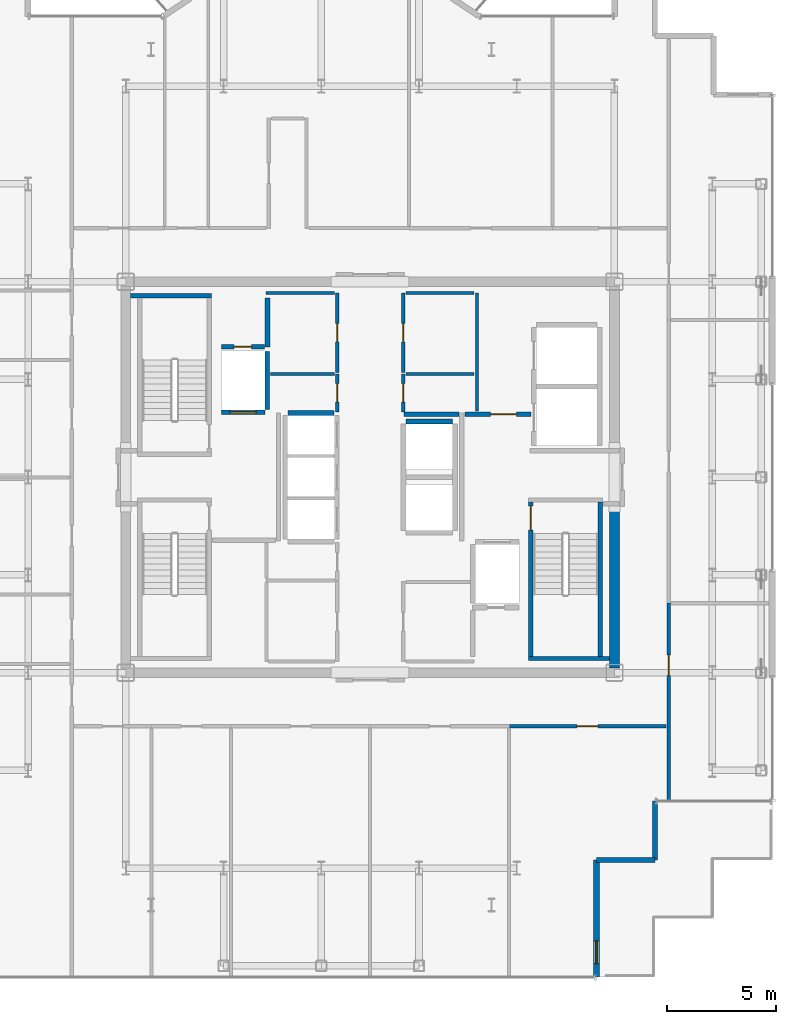
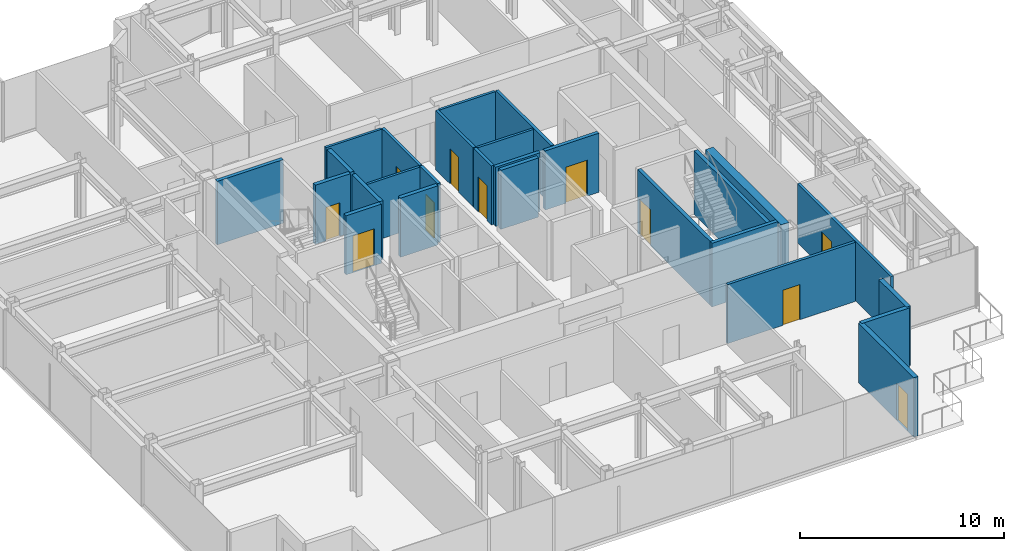
# One storey, part 13 of 18: 27 walls, 11 doors, 11 openings.
"""IFC4 building model written with IfcOpenShell, lengths in metres."""

import ifcopenshell
import ifcopenshell.guid

model = None  # the IFC model being written
_history = None  # IfcOwnerHistory: only IFC2X3 demands one
_inside = {}  # id of a spatial element -> (the spatial element, [elements in it])
_under = {}  # id of a project, library or spatial element -> (it, [spatial elements below it])
_declared = {}  # id of a project -> (the project, [libraries it declares])
_typed = {}  # id of a type object -> (the type object, [elements of that type])
_made_of = {}  # id of a material, layer set ... -> (it, [elements and type objects made of it])


def new_model(schema):
    """Start an empty IFC model of exactly this schema.

    Asked for "IFC4X3", IfcOpenShell would pick the latest addendum, in which some entities
    have other attributes; the version numbers below select the first issue.
    IFC2X3 requires an IfcOwnerHistory on every rooted entity: one is made here for all.
    """
    global model, _history
    if schema == "IFC4X3":
        model = ifcopenshell.file(schema_version=(4, 3, 0, 0))
    else:
        model = ifcopenshell.file(schema=schema)
    _inside.clear()
    _under.clear()
    _declared.clear()
    _typed.clear()
    _made_of.clear()
    _history = None
    if model.schema == "IFC2X3":
        org = make("IfcOrganization", Name="unknown")
        user = make(
            "IfcPersonAndOrganization",
            ThePerson=make("IfcPerson", FamilyName="unknown"),
            TheOrganization=org,
        )
        app = make(
            "IfcApplication",
            ApplicationDeveloper=org,
            Version="unknown",
            ApplicationFullName="unknown",
            ApplicationIdentifier="unknown",
        )
        _history = make(
            "IfcOwnerHistory",
            OwningUser=user,
            OwningApplication=app,
            ChangeAction="ADDED",
            CreationDate=0,
        )
    return model


def make(cls, **values):
    """One entity of the class cls with the attributes given. An attribute that is None is left unset."""
    return model.create_entity(
        cls, **{name: value for name, value in values.items() if value is not None}
    )


def rooted(cls, **values):
    """An entity with a GlobalId (a new one), such as an element, a storey or a relation."""
    return make(cls, GlobalId=ifcopenshell.guid.new(), OwnerHistory=_history, **values)


def si_unit(unit_type, name, prefix=None):
    """IfcSIUnit, for example si_unit("LENGTHUNIT", "METRE", prefix="MILLI")."""
    return make("IfcSIUnit", UnitType=unit_type, Prefix=prefix, Name=name)


def assignment(units):
    """IfcUnitAssignment: the units of a project."""
    return None if units is None else make("IfcUnitAssignment", Units=units)


def point(xyz):
    """IfcCartesianPoint."""
    return None if xyz is None else make("IfcCartesianPoint", Coordinates=xyz)


def direction(xyz):
    """IfcDirection."""
    return None if xyz is None else make("IfcDirection", DirectionRatios=xyz)


def frame(location, z_axis=None, x_axis=None):
    """IfcAxis2Placement3D, a coordinate frame: its origin and axes. An axis left out is left unset."""
    return make(
        "IfcAxis2Placement3D",
        Location=point(location),
        Axis=direction(z_axis),
        RefDirection=direction(x_axis),
    )


def frame_2d(location, x_axis=None):
    """IfcAxis2Placement2D, a coordinate frame in the plane: its origin and x axis."""
    return make(
        "IfcAxis2Placement2D", Location=point(location), RefDirection=direction(x_axis)
    )


def origin():
    """The frame at (0, 0, 0) with its axes left unset."""
    return frame((0.0, 0.0, 0.0))


def place(relative_to, where):
    """IfcLocalPlacement: puts the frame where relative to a parent placement (None: the world)."""
    return make(
        "IfcLocalPlacement", PlacementRelTo=relative_to, RelativePlacement=where
    )


def context(
    kind, dimensions, precision=None, world=None, true_north=None, identifier=None
):
    """IfcGeometricRepresentationContext, for example the 3D "Model" context."""
    return make(
        "IfcGeometricRepresentationContext",
        ContextIdentifier=identifier,
        ContextType=kind,
        CoordinateSpaceDimension=dimensions,
        Precision=precision,
        WorldCoordinateSystem=world,
        TrueNorth=true_north,
    )


def subcontext(parent, identifier, kind, view, scale=None):
    """IfcGeometricRepresentationSubContext, for example "Body" below "Model"."""
    return make(
        "IfcGeometricRepresentationSubContext",
        ContextIdentifier=identifier,
        ContextType=kind,
        ParentContext=parent,
        TargetScale=scale,
        TargetView=view,
    )


def project(units=None, contexts=None):
    """IfcProject with its units and contexts."""
    return rooted(
        "IfcProject",
        Name="project",
        RepresentationContexts=contexts,
        UnitsInContext=assignment(units),
    )


def spatial(cls, under=None, at=None, **own):
    """A site, building, storey or space (cls), placed at a placement, below another one or the project."""
    s = rooted(cls, ObjectPlacement=at, **own)
    if under is not None:
        _under.setdefault(under.id(), (under, []))[1].append(s)
    return s


def profile(cls, at=None, kind="AREA", **sizes):
    """A parametric profile (cls). Its sizes go by their IFC names, for example OverallWidth=200.0."""
    return make(cls, ProfileType=kind, Position=at, **sizes)


def rectangle(**sizes):
    """IfcRectangleProfileDef."""
    return profile("IfcRectangleProfileDef", **sizes)


def extrude(swept, where, along, depth):
    """IfcExtrudedAreaSolid: the profile swept, set in the frame where, extruded along a direction by depth."""
    return make(
        "IfcExtrudedAreaSolid",
        SweptArea=swept,
        Position=where,
        ExtrudedDirection=direction(along),
        Depth=depth,
    )


def shape(context_of_items, identifier, shape_type, items):
    """IfcShapeRepresentation: the items that make up one representation, for example the "Body"."""
    return make(
        "IfcShapeRepresentation",
        ContextOfItems=context_of_items,
        RepresentationIdentifier=identifier,
        RepresentationType=shape_type,
        Items=items,
    )


def source(mapping_origin, context_of_items, identifier, shape_type, items):
    """IfcRepresentationMap: a shape defined once, which mapped items show again and again."""
    return make(
        "IfcRepresentationMap",
        MappingOrigin=mapping_origin,
        MappedRepresentation=shape(context_of_items, identifier, shape_type, items),
    )


def transform(
    local_origin,
    x_axis=None,
    y_axis=None,
    z_axis=None,
    scale=None,
    scale2=None,
    scale3=None,
    uniform=True,
):
    """IfcCartesianTransformationOperator3D, or its non-uniform kind. x_axis, y_axis, z_axis: its Axis1, 2, 3."""
    if uniform:
        return make(
            "IfcCartesianTransformationOperator3D",
            Axis1=direction(x_axis),
            Axis2=direction(y_axis),
            LocalOrigin=point(local_origin),
            Scale=scale,
            Axis3=direction(z_axis),
        )
    return make(
        "IfcCartesianTransformationOperator3DnonUniform",
        Axis1=direction(x_axis),
        Axis2=direction(y_axis),
        LocalOrigin=point(local_origin),
        Scale=scale,
        Axis3=direction(z_axis),
        Scale2=scale2,
        Scale3=scale3,
    )


def mapped(mapping_source, mapping_target):
    """IfcMappedItem: shows the shape of a source again, moved by a transform."""
    return make(
        "IfcMappedItem", MappingSource=mapping_source, MappingTarget=mapping_target
    )


def material(Name=None, Category=None):
    """IfcMaterial."""
    return make("IfcMaterial", Name=Name, Category=Category)


def layer(
    of_material, thickness, ventilated=None, Name=None, Category=None, Priority=None
):
    """IfcMaterialLayer: one layer of a wall or slab, of a material (None: an air gap)."""
    return make(
        "IfcMaterialLayer",
        Material=of_material,
        LayerThickness=thickness,
        IsVentilated=ventilated,
        Name=Name,
        Category=Category,
        Priority=Priority,
    )


def layer_set(layers, Name=None):
    """IfcMaterialLayerSet."""
    return make("IfcMaterialLayerSet", MaterialLayers=layers, LayerSetName=Name)


def made_of(thing, what):
    """Note that an element or type object is made of a material, layer set ...; save() writes the relation."""
    if what is not None:
        _made_of.setdefault(what.id(), (what, []))[1].append(thing)
    return thing


def type_object(cls, material=None, **own):
    """A type object (cls), such as IfcWallType, which elements share."""
    return made_of(rooted(cls, **own), material)


def element(
    cls,
    number,
    at=None,
    inside=None,
    cuts=None,
    type_object=None,
    material=None,
    context=None,
    identifier="Body",
    shape_type=None,
    held_by="IfcProductDefinitionShape",
    body=None,
    shapes=None,
    **own,
):
    """One element of the class cls, such as IfcWall. Its Tag is "e" and its number.

    at: its placement. inside: the storey or other place that contains it. cuts: it is an
    opening in that element (IfcRelVoidsElement). A single representation is given by context,
    identifier, shape_type and body (its items); several are given by shapes. held_by: the class
    of the entity that holds the representations. save() writes the other relations.
    """
    e = rooted(cls, Tag="e%d" % number, ObjectPlacement=at, **own)
    if body is not None:
        shapes = [shape(context, identifier, shape_type, body)]
    if shapes is not None:
        e.Representation = make(held_by, Representations=shapes)
    if inside is not None:
        _inside.setdefault(inside.id(), (inside, []))[1].append(e)
    if cuts is not None:
        rooted(
            "IfcRelVoidsElement", RelatingBuildingElement=cuts, RelatedOpeningElement=e
        )
    if type_object is not None:
        _typed.setdefault(type_object.id(), (type_object, []))[1].append(e)
    return made_of(e, material)


def fill(opening, filler):
    """IfcRelFillsElement: the door or window that sits in an opening."""
    return rooted(
        "IfcRelFillsElement",
        RelatingOpeningElement=opening,
        RelatedBuildingElement=filler,
    )


def aggregate(whole, parts):
    """IfcRelAggregates: a whole, such as a stair, and the parts it consists of."""
    return rooted("IfcRelAggregates", RelatingObject=whole, RelatedObjects=parts)


def save(model, path):
    """Write the relations noted so far, then the file.

    IfcRelAggregates (storeys below a building ...), IfcRelContainedInSpatialStructure (elements
    in a storey), IfcRelDefinesByType, IfcRelAssociatesMaterial and IfcRelDeclares: one each for
    every whole, place, type object, material and project.
    """
    for whole, parts in _under.values():
        aggregate(whole, parts)
    for where, things in _inside.values():
        rooted(
            "IfcRelContainedInSpatialStructure",
            RelatedElements=things,
            RelatingStructure=where,
        )
    for kind, things in _typed.values():
        rooted("IfcRelDefinesByType", RelatedObjects=things, RelatingType=kind)
    for what, things in _made_of.values():
        rooted("IfcRelAssociatesMaterial", RelatedObjects=things, RelatingMaterial=what)
    for by, libraries in _declared.values():
        rooted("IfcRelDeclares", RelatingContext=by, RelatedDefinitions=libraries)
    model.write(path)


model = new_model("IFC4")

# Units and contexts
model_context = context("Model", 3, precision=1e-05, world=origin(), true_north=direction((0.0, 1.0)))
body_context = subcontext(model_context, "Body", "Model", "MODEL_VIEW")
ifc_project = project(units=[si_unit("LENGTHUNIT", "METRE"), si_unit("AREAUNIT", "SQUARE_METRE"), si_unit("VOLUMEUNIT", "CUBIC_METRE"), si_unit("PLANEANGLEUNIT", "RADIAN"), si_unit("MASSUNIT", "GRAM", prefix="KILO")], contexts=[model_context])

# Site, building, storey
site_placement = place(None, origin())
site = spatial("IfcSite", under=ifc_project, at=site_placement, CompositionType="ELEMENT")
building_placement = place(site_placement, origin())
building = spatial("IfcBuilding", under=site, at=building_placement, Name="Nefas-Gora Pilgrimage Tower", CompositionType="ELEMENT")
storey_placement = place(building_placement, frame((0.0, 0.0, 298.800048828125)))
storey = spatial("IfcBuildingStorey", under=building, at=storey_placement, Name="L75", CompositionType="ELEMENT", Elevation=298.800048828125)

# Wall
ifc_material_1 = material(Name="Concrete C50/60", Category="concrete")
ifc_layer_1 = layer(ifc_material_1, 0.449951171875)
ifc_layer_set_1 = layer_set([ifc_layer_1], Name="Concrete C50/60")
wall_type_1 = type_object("IfcWallType", Name="SW-CORE-450", PredefinedType="SHEAR", material=ifc_layer_set_1)
shared_shape_1 = source(origin(), body_context, "Body", "SweptSolid", [
    extrude(rectangle(XDim=7.4248046875, YDim=0.449951171875, at=frame_2d((3.71240234375, 0.0))), origin(), (0.0, 0.0, 1.0), 3.800048828125),
])
wall_1_placement = place(storey_placement, frame((11.25, -8.77490234375, 0.0), z_axis=(0.0, 0.0, 1.0), x_axis=(0.0, 1.0, 0.0)))
element("IfcWall", 1, at=wall_1_placement, inside=storey, type_object=wall_type_1, Name="L75 Core Shear Wall E-South", PredefinedType="SHEAR", context=body_context, shape_type="MappedRepresentation", body=[
    mapped(shared_shape_1, transform((0.0, 0.0, 0.0), x_axis=(1.0, 0.0, 0.0), y_axis=(0.0, 1.0, 0.0), z_axis=(0.0, 0.0, 1.0), scale=1.0)),
])

# Wall, opening, door
ifc_material_2 = material(Name="Precast concrete C40/50", Category="concrete")
ifc_layer_2 = layer(ifc_material_2, 0.260009765625)
ifc_layer_set_2 = layer_set([ifc_layer_2], Name="Precast concrete C40/50")
wall_type_2 = type_object("IfcWallType", Name="EW-PORTAL-260", PredefinedType="SOLIDWALL", material=ifc_layer_set_2)
shared_shape_2 = source(origin(), body_context, "Body", "SweptSolid", [
    extrude(rectangle(XDim=5.39990234375, YDim=0.260009765625, at=frame_2d((2.699951171875, 0.0))), origin(), (0.0, 0.0, 1.0), 3.550048828125),
])
wall_2_placement = place(storey_placement, frame((10.419921875, -23.02001953125, 0.0), z_axis=(0.0, 0.0, 1.0), x_axis=(0.0, 1.0, 0.0)))
wall_2 = element("IfcWall", 2, at=wall_2_placement, inside=storey, type_object=wall_type_2, Name="L75 Insulated Terrace Portal Wall 6", PredefinedType="SOLIDWALL", context=body_context, shape_type="MappedRepresentation", body=[
    mapped(shared_shape_2, transform((0.0, 0.0, 0.0), x_axis=(1.0, 0.0, 0.0), y_axis=(0.0, 1.0, 0.0), z_axis=(0.0, 0.0, 1.0), scale=1.0)),
])
opening_1_placement = place(wall_2_placement, frame((0.618896484375, 0.0, 0.0)))
opening_1 = element("IfcOpeningElement", 3, at=opening_1_placement, cuts=wall_2, Name="Opening ED-T1", PredefinedType="OPENING", context=body_context, shape_type="SweptSolid", body=[
    extrude(rectangle(XDim=1.050048828125, YDim=2.199951171875, at=frame_2d((0.52490234375, 1.10009765625))), frame((0.0, 0.139892578125, 0.0), z_axis=(0.0, -1.0, 0.0), x_axis=(1.0, 0.0, 0.0)), (0.0, 0.0, 1.0), 0.280029296875),
])
ifc_material_3 = material(Name="Thermally broken glazed aluminium terrace door", Category="aluminium")
door_type_1 = type_object("IfcDoorType", Name="DR-EXT-TER-1050", OperationType="NOTDEFINED", PredefinedType="DOOR", material=ifc_material_3)
shared_shape_3 = source(origin(), body_context, "Body", "SweptSolid", [
    extrude(rectangle(XDim=1.050048828125, YDim=2.199951171875, at=frame_2d((0.52490234375, 1.10009765625))), frame((0.0, 0.02490234375, 0.0), z_axis=(0.0, -1.0, 0.0), x_axis=(1.0, 0.0, 0.0)), (0.0, 0.0, 1.0), 0.050048828125),
])
door_1_placement = place(opening_1_placement, origin())
door_1 = element("IfcDoor", 4, at=door_1_placement, inside=storey, type_object=door_type_1, Name="L75 Exterior Door (L75 Outdoor Terrace TER-SP-SE)", OperationType="SINGLE_SWING_RIGHT", OverallHeight=2.199951171875, OverallWidth=1.050048828125, PredefinedType="DOOR", context=body_context, shape_type="MappedRepresentation", body=[
    mapped(shared_shape_3, transform((0.0, 0.0, 0.0), x_axis=(1.0, 0.0, 0.0), y_axis=(0.0, 1.0, 0.0), z_axis=(0.0, 0.0, 1.0), scale=1.0)),
])
fill(opening_1, door_1)

# Walls
ifc_material_4 = material(Name="Precast concrete C45/55", Category="concrete")
ifc_layer_3 = layer(ifc_material_4, 0.239990234375)
ifc_layer_set_3 = layer_set([ifc_layer_3], Name="Precast concrete C45/55")
wall_type_3 = type_object("IfcWallType", Name="EW-SERR-240", PredefinedType="SHEAR", material=ifc_layer_set_3)
shared_shape_4 = source(origin(), body_context, "Body", "SweptSolid", [
    extrude(rectangle(XDim=2.7001953125, YDim=0.239990234375, at=frame_2d((1.35009765625, 0.0))), origin(), (0.0, 0.0, 1.0), 3.550048828125),
])
for number, where, z_axis, x_axis, name in (
    (5, (10.419921875, -17.6201171875, 0.0), (0.0, 0.0, 1.0), (1.0, 0.0, 0.0), "L75 Serrated Corner Shear Pier Wall 7"),
    (6, (13.1201171875, -17.6201171875, 0.0), (0.0, 0.0, 1.0), (0.0, 1.0, 0.0), "L75 Serrated Corner Shear Pier Wall 8"),
):
    element("IfcWall", number, at=place(storey_placement, frame(where, z_axis=z_axis, x_axis=x_axis)), inside=storey, type_object=wall_type_3, Name=name, PredefinedType="SHEAR", context=body_context, shape_type="MappedRepresentation", body=[
        mapped(shared_shape_4, transform((0.0, 0.0, 0.0), x_axis=(1.0, 0.0, 0.0), y_axis=(0.0, 1.0, 0.0), z_axis=(0.0, 0.0, 1.0), scale=1.0)),
    ])

# Wall, opening, door
ifc_material_5 = material(Name="Concrete C45/55", Category="concrete")
ifc_layer_4 = layer(ifc_material_5, 0.199951171875)
ifc_layer_set_4 = layer_set([ifc_layer_4], Name="Concrete C45/55")
wall_type_4 = type_object("IfcWallType", Name="IW-STAIR-200", PredefinedType="SOLIDWALL", material=ifc_layer_set_4)
shared_shape_5 = source(origin(), body_context, "Body", "SweptSolid", [
    extrude(rectangle(XDim=7.10009765625, YDim=0.199951171875, at=frame_2d((3.550048828125, 0.0))), origin(), (0.0, 0.0, 1.0), 3.800048828125),
])
wall_3_placement = place(storey_placement, frame((7.39990234375, -1.14990234375, 0.0), z_axis=(0.0, 0.0, 1.0), x_axis=(0.0, -1.0, 0.0)))
wall_3 = element("IfcWall", 7, at=wall_3_placement, inside=storey, type_object=wall_type_4, Name="L75 Stairwell Shear Wall ST-02-left", PredefinedType="SOLIDWALL", context=body_context, shape_type="MappedRepresentation", body=[
    mapped(shared_shape_5, transform((0.0, 0.0, 0.0), x_axis=(1.0, 0.0, 0.0), y_axis=(0.0, 1.0, 0.0), z_axis=(0.0, 0.0, 1.0), scale=1.0)),
])
opening_2_placement = place(wall_3_placement, frame((0.179931640625, 0.0, 0.0)))
opening_2 = element("IfcOpeningElement", 8, at=opening_2_placement, cuts=wall_3, Name="Opening ID-ST1", PredefinedType="OPENING", context=body_context, shape_type="SweptSolid", body=[
    extrude(rectangle(XDim=1.10009765625, YDim=2.14990234375, at=frame_2d((0.550048828125, 1.074951171875))), frame((0.0, 0.10986328125, 0.0), z_axis=(0.0, -1.0, 0.0), x_axis=(1.0, 0.0, 0.0)), (0.0, 0.0, 1.0), 0.219970703125),
])
ifc_material_6 = material(Name="Painted galvanised steel fire stair door", Category="steel")
door_type_2 = type_object("IfcDoorType", Name="DR-INT-STAIR-1100", OperationType="NOTDEFINED", PredefinedType="DOOR", material=ifc_material_6)
shared_shape_6 = source(origin(), body_context, "Body", "SweptSolid", [
    extrude(rectangle(XDim=1.10009765625, YDim=2.14990234375, at=frame_2d((0.550048828125, 1.074951171875))), frame((0.0, 0.02490234375, 0.0), z_axis=(0.0, -1.0, 0.0), x_axis=(1.0, 0.0, 0.0)), (0.0, 0.0, 1.0), 0.050048828125),
])
door_2_placement = place(opening_2_placement, origin())
door_2 = element("IfcDoor", 9, at=door_2_placement, inside=storey, type_object=door_type_2, Name="L75 Protected Exit Stair Door ST-02", OperationType="SINGLE_SWING_RIGHT", OverallHeight=2.14990234375, OverallWidth=1.10009765625, PredefinedType="DOOR", context=body_context, shape_type="MappedRepresentation", body=[
    mapped(shared_shape_6, transform((0.0, 0.0, 0.0), x_axis=(1.0, 0.0, 0.0), y_axis=(0.0, 1.0, 0.0), z_axis=(0.0, 0.0, 1.0), scale=1.0)),
])
fill(opening_2, door_2)

# Walls
wall_4_placement = place(storey_placement, frame((10.60009765625, -1.14990234375, 0.0), z_axis=(0.0, 0.0, 1.0), x_axis=(0.0, -1.0, 0.0)))
element("IfcWall", 10, at=wall_4_placement, inside=storey, type_object=wall_type_4, Name="L75 Stairwell Shear Wall ST-02-right", PredefinedType="SOLIDWALL", context=body_context, shape_type="MappedRepresentation", body=[
    mapped(shared_shape_5, transform((0.0, 0.0, 0.0), x_axis=(1.0, 0.0, 0.0), y_axis=(0.0, 1.0, 0.0), z_axis=(0.0, 0.0, 1.0), scale=1.0)),
])
shared_shape_7 = source(origin(), body_context, "Body", "SweptSolid", [
    extrude(rectangle(XDim=3.72998046875, YDim=0.199951171875, at=frame_2d((1.864990234375, 0.0))), origin(), (0.0, 0.0, 1.0), 3.800048828125),
])
for number, where, z_axis, x_axis, name in (
    (11, (-7.300048828125, 8.35009765625, 0.0), (0.0, 0.0, 1.0), (-1.0, 0.0, 0.0), "L75 Stairwell Shear Wall ST-01-far"),
    (12, (7.300048828125, -8.35009765625, 0.0), (0.0, 0.0, 1.0), (1.0, 0.0, 0.0), "L75 Stairwell Shear Wall ST-02-far"),
):
    element("IfcWall", number, at=place(storey_placement, frame(where, z_axis=z_axis, x_axis=x_axis)), inside=storey, type_object=wall_type_4, Name=name, PredefinedType="SOLIDWALL", context=body_context, shape_type="MappedRepresentation", body=[
        mapped(shared_shape_7, transform((0.0, 0.0, 0.0), x_axis=(1.0, 0.0, 0.0), y_axis=(0.0, 1.0, 0.0), z_axis=(0.0, 0.0, 1.0), scale=1.0)),
    ])

# Wall, opening, door
ifc_material_7 = material(Name="Concrete C40/50", Category="concrete")
ifc_layer_5 = layer(ifc_material_7, 0.219970703125)
ifc_layer_set_5 = layer_set([ifc_layer_5], Name="Concrete C40/50")
wall_type_5 = type_object("IfcWallType", Name="IW-SHAFT-220", PredefinedType="SOLIDWALL", material=ifc_layer_set_5)
shared_shape_8 = source(origin(), body_context, "Body", "SweptSolid", [
    extrude(rectangle(XDim=2.0, YDim=0.219970703125, at=frame_2d((1.0, 0.0))), origin(), (0.0, 0.0, 1.0), 3.534912109375),
])
wall_5_placement = place(storey_placement, frame((-6.85009765625, 2.989990234375, 0.0), z_axis=(0.0, 0.0, 1.0), x_axis=(1.0, 0.0, 0.0)))
wall_5 = element("IfcWall", 13, at=wall_5_placement, inside=storey, type_object=wall_type_5, Name="L75 Hoistway Wall FFL-01-S", PredefinedType="SOLIDWALL", context=body_context, shape_type="MappedRepresentation", body=[
    mapped(shared_shape_8, transform((0.0, 0.0, 0.0), x_axis=(1.0, 0.0, 0.0), y_axis=(0.0, 1.0, 0.0), z_axis=(0.0, 0.0, 1.0), scale=1.0)),
])
opening_3_placement = place(wall_5_placement, frame((0.39990234375, 0.0, 0.0)))
opening_3 = element("IfcOpeningElement", 14, at=opening_3_placement, cuts=wall_5, Name="Opening LD-FF", PredefinedType="OPENING", context=body_context, shape_type="SweptSolid", body=[
    extrude(rectangle(XDim=1.199951171875, YDim=2.199951171875, at=frame_2d((0.60009765625, 1.10009765625))), frame((0.0, 0.119873046875, 0.0), z_axis=(0.0, -1.0, 0.0), x_axis=(1.0, 0.0, 0.0)), (0.0, 0.0, 1.0), 0.239990234375),
])
ifc_material_8 = material(Name="Fire-service sliding lift landing door")
door_type_3 = type_object("IfcDoorType", Name="DR-LIFT-FSAE-1200", OperationType="SLIDING_TO_LEFT", PredefinedType="DOOR", material=ifc_material_8)
shared_shape_9 = source(origin(), body_context, "Body", "SweptSolid", [
    extrude(rectangle(XDim=1.199951171875, YDim=2.199951171875, at=frame_2d((0.60009765625, 1.10009765625))), frame((0.0, 0.02490234375, 0.0), z_axis=(0.0, -1.0, 0.0), x_axis=(1.0, 0.0, 0.0)), (0.0, 0.0, 1.0), 0.050048828125),
])
door_3_placement = place(opening_3_placement, origin())
door_3 = element("IfcDoor", 15, at=door_3_placement, inside=storey, type_object=door_type_3, Name="L75 Sliding Lift Landing Door FFL-01", OperationType="SLIDING_TO_LEFT", OverallHeight=2.199951171875, OverallWidth=1.199951171875, PredefinedType="DOOR", context=body_context, shape_type="MappedRepresentation", body=[
    mapped(shared_shape_9, transform((0.0, 0.0, 0.0), x_axis=(1.0, 0.0, 0.0), y_axis=(0.0, 1.0, 0.0), z_axis=(0.0, 0.0, 1.0), scale=1.0)),
])
fill(opening_3, door_3)

# Walls
shared_shape_10 = source(origin(), body_context, "Body", "SweptSolid", [
    extrude(rectangle(XDim=2.679931640625, YDim=0.219970703125, at=frame_2d((1.33984375, 0.0))), origin(), (0.0, 0.0, 1.0), 3.534912109375),
])
wall_6_placement = place(storey_placement, frame((-4.739990234375, 3.110107421875, 0.0), z_axis=(0.0, 0.0, 1.0), x_axis=(0.0, 1.0, 0.0)))
element("IfcWall", 16, at=wall_6_placement, inside=storey, type_object=wall_type_5, Name="L75 Hoistway Wall FFL-01-E", PredefinedType="SOLIDWALL", context=body_context, shape_type="MappedRepresentation", body=[
    mapped(shared_shape_10, transform((0.0, 0.0, 0.0), x_axis=(1.0, 0.0, 0.0), y_axis=(0.0, 1.0, 0.0), z_axis=(0.0, 0.0, 1.0), scale=1.0)),
])
shared_shape_11 = source(origin(), body_context, "Body", "SweptSolid", [
    extrude(rectangle(XDim=2.130126953125, YDim=0.219970703125, at=frame_2d((1.06494140625, 0.0))), origin(), (0.0, 0.0, 1.0), 3.534912109375),
])
for number, where, z_axis, x_axis, name in (
    (17, (-1.659912109375, 2.9599609375, 0.0), (0.0, 0.0, 1.0), (-1.0, 0.0, 0.0), "L75 Hoistway Wall PL3-03-N"),
    (18, (3.7900390625, 2.56005859375, 0.0), (0.0, 0.0, 1.0), (-1.0, 0.0, 0.0), "L75 Hoistway Wall OBS-02-N"),
):
    element("IfcWall", number, at=place(storey_placement, frame(where, z_axis=z_axis, x_axis=x_axis)), inside=storey, type_object=wall_type_5, Name=name, PredefinedType="SOLIDWALL", context=body_context, shape_type="MappedRepresentation", body=[
        mapped(shared_shape_11, transform((0.0, 0.0, 0.0), x_axis=(1.0, 0.0, 0.0), y_axis=(0.0, 1.0, 0.0), z_axis=(0.0, 0.0, 1.0), scale=1.0)),
    ])

# Wall, opening, door
ifc_material_9 = material(Name="Gypsum fire-rated shaftwall")
ifc_layer_6 = layer(ifc_material_9, 0.199951171875)
ifc_layer_set_6 = layer_set([ifc_layer_6], Name="Gypsum fire-rated shaftwall")
wall_type_6 = type_object("IfcWallType", Name="IW-FFLOB-200", PredefinedType="PARTITIONING", material=ifc_layer_set_6)
shared_shape_12 = source(origin(), body_context, "Body", "SweptSolid", [
    extrude(rectangle(XDim=3.039794921875, YDim=0.199951171875, at=frame_2d((1.52001953125, 0.0))), origin(), (0.0, 0.0, 1.0), 3.534912109375),
])
wall_7_placement = place(storey_placement, frame((4.360107421875, 2.89990234375, 0.0), z_axis=(0.0, 0.0, 1.0), x_axis=(1.0, 0.0, 0.0)))
wall_7 = element("IfcWall", 19, at=wall_7_placement, inside=storey, type_object=wall_type_6, Name="L75 FF Lobby East North Wall Wall 13", PredefinedType="PARTITIONING", context=body_context, shape_type="MappedRepresentation", body=[
    mapped(shared_shape_12, transform((0.0, 0.0, 0.0), x_axis=(1.0, 0.0, 0.0), y_axis=(0.0, 1.0, 0.0), z_axis=(0.0, 0.0, 1.0), scale=1.0)),
])
opening_4_placement = place(wall_7_placement, frame((1.18994140625, 0.0, 0.0)))
opening_4 = element("IfcOpeningElement", 20, at=opening_4_placement, cuts=wall_7, Name="Opening ID-PL1", PredefinedType="OPENING", context=body_context, shape_type="SweptSolid", body=[
    extrude(rectangle(XDim=1.199951171875, YDim=2.14990234375, at=frame_2d((0.60009765625, 1.074951171875))), frame((0.0, 0.10986328125, 0.0), z_axis=(0.0, -1.0, 0.0), x_axis=(1.0, 0.0, 0.0)), (0.0, 0.0, 1.0), 0.219970703125),
])
ifc_material_10 = material(Name="Heavy-duty steel plant room fire door", Category="steel")
door_type_4 = type_object("IfcDoorType", Name="DR-INT-PLANT-1200", OperationType="NOTDEFINED", PredefinedType="DOOR", material=ifc_material_10)
shared_shape_13 = source(origin(), body_context, "Body", "SweptSolid", [
    extrude(rectangle(XDim=1.199951171875, YDim=2.14990234375, at=frame_2d((0.60009765625, 1.074951171875))), frame((0.0, 0.02490234375, 0.0), z_axis=(0.0, -1.0, 0.0), x_axis=(1.0, 0.0, 0.0)), (0.0, 0.0, 1.0), 0.050048828125),
])
door_4_placement = place(opening_4_placement, origin())
door_4 = element("IfcDoor", 21, at=door_4_placement, inside=storey, type_object=door_type_4, Name="L75 Service Lift Lobby Door Door 5", OperationType="SINGLE_SWING_LEFT", OverallHeight=2.14990234375, OverallWidth=1.199951171875, PredefinedType="DOOR", context=body_context, shape_type="MappedRepresentation", body=[
    mapped(shared_shape_13, transform((0.0, 0.0, 0.0), x_axis=(1.0, 0.0, 0.0), y_axis=(0.0, 1.0, 0.0), z_axis=(0.0, 0.0, 1.0), scale=1.0)),
])
fill(opening_4, door_4)

# Walls
ifc_material_11 = material(Name="Gypsum twin-stud partition")
ifc_layer_7 = layer(ifc_material_11, 0.139892578125)
ifc_layer_set_7 = layer_set([ifc_layer_7], Name="Gypsum twin-stud partition")
wall_type_7 = type_object("IfcWallType", Name="IW-UNIT-140", PredefinedType="PARTITIONING", material=ifc_layer_set_7)
shared_shape_14 = source(origin(), body_context, "Body", "SweptSolid", [
    extrude(rectangle(XDim=2.9501953125, YDim=0.139892578125, at=frame_2d((1.47509765625, 0.0))), origin(), (0.0, 0.0, 1.0), 3.534912109375),
])
wall_8_placement = place(storey_placement, frame((-4.590087890625, 4.75, 0.0), z_axis=(0.0, 0.0, 1.0), x_axis=(1.0, 0.0, 0.0)))
element("IfcWall", 22, at=wall_8_placement, inside=storey, type_object=wall_type_7, Name="L75 Housekeeping and Linen Store Partition Wall 20", PredefinedType="PARTITIONING", context=body_context, shape_type="MappedRepresentation", body=[
    mapped(shared_shape_14, transform((0.0, 0.0, 0.0), x_axis=(1.0, 0.0, 0.0), y_axis=(0.0, 1.0, 0.0), z_axis=(0.0, 0.0, 1.0), scale=1.0)),
])
shared_shape_15 = source(origin(), body_context, "Body", "SweptSolid", [
    extrude(rectangle(XDim=3.150146484375, YDim=0.139892578125, at=frame_2d((1.5751953125, 0.0))), origin(), (0.0, 0.0, 1.0), 3.534912109375),
])
for number, where, z_axis, x_axis, name in (
    (23, (-4.7900390625, 8.47998046875, 0.0), (0.0, 0.0, 1.0), (1.0, 0.0, 0.0), "L75 Archival Supply Store Partition Wall 22"),
    (24, (1.639892578125, 4.75, 0.0), (0.0, 0.0, 1.0), (1.0, 0.0, 0.0), "L75 Clean Blanket and Robe Store Partition Wall 24"),
    (25, (1.639892578125, 8.47998046875, 0.0), (0.0, 0.0, 1.0), (1.0, 0.0, 0.0), "L75 Amenity Supply Store Partition Wall 26"),
):
    element("IfcWall", number, at=place(storey_placement, frame(where, z_axis=z_axis, x_axis=x_axis)), inside=storey, type_object=wall_type_7, Name=name, PredefinedType="PARTITIONING", context=body_context, shape_type="MappedRepresentation", body=[
        mapped(shared_shape_15, transform((0.0, 0.0, 0.0), x_axis=(1.0, 0.0, 0.0), y_axis=(0.0, 1.0, 0.0), z_axis=(0.0, 0.0, 1.0), scale=1.0)),
    ])

# Wall, opening, door
ifc_material_12 = material(Name="Gypsum acoustic stud partition")
ifc_layer_8 = layer(ifc_material_12, 0.159912109375)
ifc_layer_set_8 = layer_set([ifc_layer_8], Name="Gypsum acoustic stud partition")
wall_type_8 = type_object("IfcWallType", Name="IW-CORR-160", PredefinedType="PARTITIONING", material=ifc_layer_set_8)
shared_shape_16 = source(origin(), body_context, "Body", "SweptSolid", [
    extrude(rectangle(XDim=7.22509765625, YDim=0.159912109375, at=frame_2d((3.612548828125, 0.0))), origin(), (0.0, 0.0, 1.0), 3.534912109375),
])
wall_9_placement = place(storey_placement, frame((6.39501953125, -11.469970703125, 0.0), z_axis=(0.0, 0.0, 1.0), x_axis=(1.0, 0.0, 0.0)))
wall_9 = element("IfcWall", 26, at=wall_9_placement, inside=storey, type_object=wall_type_8, Name="L75 Pilgrim Contemplative Lounge Partition Wall 73", PredefinedType="PARTITIONING", context=body_context, shape_type="MappedRepresentation", body=[
    mapped(shared_shape_16, transform((0.0, 0.0, 0.0), x_axis=(1.0, 0.0, 0.0), y_axis=(0.0, 1.0, 0.0), z_axis=(0.0, 0.0, 1.0), scale=1.0)),
])
opening_5_placement = place(wall_9_placement, frame((3.137451171875, 0.0, 0.0)))
opening_5 = element("IfcOpeningElement", 27, at=opening_5_placement, cuts=wall_9, Name="Opening ID-GR1", PredefinedType="OPENING", context=body_context, shape_type="SweptSolid", body=[
    extrude(rectangle(XDim=0.949951171875, YDim=2.10009765625, at=frame_2d((0.47509765625, 1.050048828125))), frame((0.0, 0.08984375, 0.0), z_axis=(0.0, -1.0, 0.0), x_axis=(1.0, 0.0, 0.0)), (0.0, 0.0, 1.0), 0.179931640625),
])
ifc_material_13 = material(Name="Solid core oak fire-rated guest entrance door")
door_type_5 = type_object("IfcDoorType", Name="DR-INT-GUEST-950", OperationType="NOTDEFINED", PredefinedType="DOOR", material=ifc_material_13)
shared_shape_17 = source(origin(), body_context, "Body", "SweptSolid", [
    extrude(rectangle(XDim=0.949951171875, YDim=2.10009765625, at=frame_2d((0.47509765625, 1.050048828125))), frame((0.0, 0.02490234375, 0.0), z_axis=(0.0, -1.0, 0.0), x_axis=(1.0, 0.0, 0.0)), (0.0, 0.0, 1.0), 0.050048828125),
])
door_5_placement = place(opening_5_placement, origin())
door_5 = element("IfcDoor", 28, at=door_5_placement, inside=storey, type_object=door_type_5, Name="L75 Pilgrim Contemplative Lounge Door 33", OperationType="SINGLE_SWING_LEFT", OverallHeight=2.10009765625, OverallWidth=0.949951171875, PredefinedType="DOOR", context=body_context, shape_type="MappedRepresentation", body=[
    mapped(shared_shape_17, transform((0.0, 0.0, 0.0), x_axis=(1.0, 0.0, 0.0), y_axis=(0.0, 1.0, 0.0), z_axis=(0.0, 0.0, 1.0), scale=1.0)),
])
fill(opening_5, door_5)

# Wall
shared_shape_18 = source(origin(), body_context, "Body", "SweptSolid", [
    extrude(rectangle(XDim=2.25, YDim=0.219970703125, at=frame_2d((1.125, 0.0))), origin(), (0.0, 0.0, 1.0), 3.534912109375),
])
wall_10_placement = place(storey_placement, frame((-4.719970703125, 6.0, 0.0), z_axis=(0.0, 0.0, 1.0), x_axis=(0.0, 1.0, 0.0)))
element("IfcWall", 29, at=wall_10_placement, inside=storey, type_object=wall_type_5, Name="L75 Riser Shaft Wall 1", PredefinedType="SOLIDWALL", context=body_context, shape_type="MappedRepresentation", body=[
    mapped(shared_shape_18, transform((0.0, 0.0, 0.0), x_axis=(1.0, 0.0, 0.0), y_axis=(0.0, 1.0, 0.0), z_axis=(0.0, 0.0, 1.0), scale=1.0)),
])

# Wall, opening, door
shared_shape_19 = source(origin(), body_context, "Body", "SweptSolid", [
    extrude(rectangle(XDim=1.97998046875, YDim=0.219970703125, at=frame_2d((0.989990234375, 0.0))), origin(), (0.0, 0.0, 1.0), 3.534912109375),
])
wall_11_placement = place(storey_placement, frame((-6.85009765625, 6.0, 0.0), z_axis=(0.0, 0.0, 1.0), x_axis=(1.0, 0.0, 0.0)))
wall_11 = element("IfcWall", 30, at=wall_11_placement, inside=storey, type_object=wall_type_5, Name="L75 Riser Shaft Wall 2", PredefinedType="SOLIDWALL", context=body_context, shape_type="MappedRepresentation", body=[
    mapped(shared_shape_19, transform((0.0, 0.0, 0.0), x_axis=(1.0, 0.0, 0.0), y_axis=(0.0, 1.0, 0.0), z_axis=(0.0, 0.0, 1.0), scale=1.0)),
])
opening_6_placement = place(wall_11_placement, frame((0.590087890625, 0.0, 0.0)))
opening_6 = element("IfcOpeningElement", 31, at=opening_6_placement, cuts=wall_11, Name="Opening ID-TR1", PredefinedType="OPENING", context=body_context, shape_type="SweptSolid", body=[
    extrude(rectangle(XDim=0.800048828125, YDim=2.0, at=frame_2d((0.39990234375, 1.0))), frame((0.0, 0.119873046875, 0.0), z_axis=(0.0, -1.0, 0.0), x_axis=(1.0, 0.0, 0.0)), (0.0, 0.0, 1.0), 0.239990234375),
])
ifc_material_14 = material(Name="Riser maintenance fire access door")
door_type_6 = type_object("IfcDoorType", Name="DR-INT-TRAP-800", OperationType="NOTDEFINED", PredefinedType="TRAPDOOR", material=ifc_material_14)
shared_shape_20 = source(origin(), body_context, "Body", "SweptSolid", [
    extrude(rectangle(XDim=0.800048828125, YDim=2.0, at=frame_2d((0.39990234375, 1.0))), frame((0.0, 0.02490234375, 0.0), z_axis=(0.0, -1.0, 0.0), x_axis=(1.0, 0.0, 0.0)), (0.0, 0.0, 1.0), 0.050048828125),
])
door_6_placement = place(opening_6_placement, origin())
door_6 = element("IfcDoor", 32, at=door_6_placement, inside=storey, type_object=door_type_6, Name="L75 Riser Shaft Door 1", OperationType="SINGLE_SWING_LEFT", OverallHeight=2.0, OverallWidth=0.800048828125, PredefinedType="TRAPDOOR", context=body_context, shape_type="MappedRepresentation", body=[
    mapped(shared_shape_20, transform((0.0, 0.0, 0.0), x_axis=(1.0, 0.0, 0.0), y_axis=(0.0, 1.0, 0.0), z_axis=(0.0, 0.0, 1.0), scale=1.0)),
])
fill(opening_6, door_6)

# Walls
shared_shape_21 = source(origin(), body_context, "Body", "SweptSolid", [
    extrude(rectangle(XDim=2.52001953125, YDim=0.199951171875, at=frame_2d((1.260009765625, 0.0))), origin(), (0.0, 0.0, 1.0), 3.534912109375),
])
wall_12_placement = place(storey_placement, frame((1.56005859375, 2.89990234375, 0.0), z_axis=(0.0, 0.0, 1.0), x_axis=(1.0, 0.0, 0.0)))
element("IfcWall", 33, at=wall_12_placement, inside=storey, type_object=wall_type_6, Name="L75 FF Lobby East North Wall Wall 12", PredefinedType="PARTITIONING", context=body_context, shape_type="MappedRepresentation", body=[
    mapped(shared_shape_21, transform((0.0, 0.0, 0.0), x_axis=(1.0, 0.0, 0.0), y_axis=(0.0, 1.0, 0.0), z_axis=(0.0, 0.0, 1.0), scale=1.0)),
])
shared_shape_22 = source(origin(), body_context, "Body", "SweptSolid", [
    extrude(rectangle(XDim=5.449951171875, YDim=0.159912109375, at=frame_2d((2.72509765625, 0.0))), origin(), (0.0, 0.0, 1.0), 3.534912109375),
])
wall_13_placement = place(storey_placement, frame((4.919921875, 3.0400390625, 0.0), z_axis=(0.0, 0.0, 1.0), x_axis=(0.0, 1.0, 0.0)))
element("IfcWall", 34, at=wall_13_placement, inside=storey, type_object=wall_type_8, Name="L75 Service Lift Lobby West Wall Wall 18", PredefinedType="PARTITIONING", context=body_context, shape_type="MappedRepresentation", body=[
    mapped(shared_shape_22, transform((0.0, 0.0, 0.0), x_axis=(1.0, 0.0, 0.0), y_axis=(0.0, 1.0, 0.0), z_axis=(0.0, 0.0, 1.0), scale=1.0)),
])

# Wall, opening, door
shared_shape_23 = source(origin(), body_context, "Body", "SweptSolid", [
    extrude(rectangle(XDim=1.75, YDim=0.159912109375, at=frame_2d((0.875, 0.0))), origin(), (0.0, 0.0, 1.0), 3.534912109375),
])
wall_14_placement = place(storey_placement, frame((-1.52001953125, 3.010009765625, 0.0), z_axis=(0.0, 0.0, 1.0), x_axis=(0.0, 1.0, 0.0)))
wall_14 = element("IfcWall", 35, at=wall_14_placement, inside=storey, type_object=wall_type_8, Name="L75 Housekeeping and Linen Store Wall 19", PredefinedType="PARTITIONING", context=body_context, shape_type="MappedRepresentation", body=[
    mapped(shared_shape_23, transform((0.0, 0.0, 0.0), x_axis=(1.0, 0.0, 0.0), y_axis=(0.0, 1.0, 0.0), z_axis=(0.0, 0.0, 1.0), scale=1.0)),
])
opening_7_placement = place(wall_14_placement, frame((0.449951171875, 0.0, 0.0)))
opening_7 = element("IfcOpeningElement", 36, at=opening_7_placement, cuts=wall_14, Name="Opening ID-BT1", PredefinedType="OPENING", context=body_context, shape_type="SweptSolid", body=[
    extrude(rectangle(XDim=0.85009765625, YDim=2.10009765625, at=frame_2d((0.425048828125, 1.050048828125))), frame((0.0, 0.08984375, 0.0), z_axis=(0.0, -1.0, 0.0), x_axis=(1.0, 0.0, 0.0)), (0.0, 0.0, 1.0), 0.179931640625),
])
ifc_material_15 = material(Name="Moisture-resistant fire-rated timber door", Category="wood")
door_type_7 = type_object("IfcDoorType", Name="DR-INT-BATH-850", OperationType="NOTDEFINED", PredefinedType="DOOR", material=ifc_material_15)
shared_shape_24 = source(origin(), body_context, "Body", "SweptSolid", [
    extrude(rectangle(XDim=0.85009765625, YDim=2.10009765625, at=frame_2d((0.425048828125, 1.050048828125))), frame((0.0, 0.02490234375, 0.0), z_axis=(0.0, -1.0, 0.0), x_axis=(1.0, 0.0, 0.0)), (0.0, 0.0, 1.0), 0.050048828125),
])
door_7_placement = place(opening_7_placement, origin())
door_7 = element("IfcDoor", 37, at=door_7_placement, inside=storey, type_object=door_type_7, Name="L75 Housekeeping and Linen Store Door 8", OperationType="SINGLE_SWING_RIGHT", OverallHeight=2.10009765625, OverallWidth=0.85009765625, PredefinedType="DOOR", context=body_context, shape_type="MappedRepresentation", body=[
    mapped(shared_shape_24, transform((0.0, 0.0, 0.0), x_axis=(1.0, 0.0, 0.0), y_axis=(0.0, 1.0, 0.0), z_axis=(0.0, 0.0, 1.0), scale=1.0)),
])
fill(opening_7, door_7)

wall_15_placement = place(storey_placement, frame((1.52001953125, 3.010009765625, 0.0), z_axis=(0.0, 0.0, 1.0), x_axis=(0.0, 1.0, 0.0)))
wall_15 = element("IfcWall", 38, at=wall_15_placement, inside=storey, type_object=wall_type_8, Name="L75 Clean Blanket and Robe Store Wall 23", PredefinedType="PARTITIONING", context=body_context, shape_type="MappedRepresentation", body=[
    mapped(shared_shape_23, transform((0.0, 0.0, 0.0), x_axis=(1.0, 0.0, 0.0), y_axis=(0.0, 1.0, 0.0), z_axis=(0.0, 0.0, 1.0), scale=1.0)),
])
opening_8_placement = place(wall_15_placement, frame((0.449951171875, 0.0, 0.0)))
opening_8 = element("IfcOpeningElement", 39, at=opening_8_placement, cuts=wall_15, Name="Opening ID-BT1", PredefinedType="OPENING", context=body_context, shape_type="SweptSolid", body=[
    extrude(rectangle(XDim=0.85009765625, YDim=2.10009765625, at=frame_2d((0.425048828125, 1.050048828125))), frame((0.0, 0.08984375, 0.0), z_axis=(0.0, -1.0, 0.0), x_axis=(1.0, 0.0, 0.0)), (0.0, 0.0, 1.0), 0.179931640625),
])
door_8_placement = place(opening_8_placement, origin())
door_8 = element("IfcDoor", 40, at=door_8_placement, inside=storey, type_object=door_type_7, Name="L75 Clean Blanket and Robe Store Door 10", OperationType="SINGLE_SWING_RIGHT", OverallHeight=2.10009765625, OverallWidth=0.85009765625, PredefinedType="DOOR", context=body_context, shape_type="MappedRepresentation", body=[
    mapped(shared_shape_24, transform((0.0, 0.0, 0.0), x_axis=(1.0, 0.0, 0.0), y_axis=(0.0, 1.0, 0.0), z_axis=(0.0, 0.0, 1.0), scale=1.0)),
])
fill(opening_8, door_8)

shared_shape_25 = source(origin(), body_context, "Body", "SweptSolid", [
    extrude(rectangle(XDim=3.679931640625, YDim=0.159912109375, at=frame_2d((1.83984375, 0.0))), origin(), (0.0, 0.0, 1.0), 3.534912109375),
])
wall_16_placement = place(storey_placement, frame((-1.52001953125, 4.81005859375, 0.0), z_axis=(0.0, 0.0, 1.0), x_axis=(0.0, 1.0, 0.0)))
wall_16 = element("IfcWall", 41, at=wall_16_placement, inside=storey, type_object=wall_type_8, Name="L75 Archival Supply Store Wall 21", PredefinedType="PARTITIONING", context=body_context, shape_type="MappedRepresentation", body=[
    mapped(shared_shape_25, transform((0.0, 0.0, 0.0), x_axis=(1.0, 0.0, 0.0), y_axis=(0.0, 1.0, 0.0), z_axis=(0.0, 0.0, 1.0), scale=1.0)),
])
opening_9_placement = place(wall_16_placement, frame((1.4150390625, 0.0, 0.0)))
opening_9 = element("IfcOpeningElement", 42, at=opening_9_placement, cuts=wall_16, Name="Opening ID-BT1", PredefinedType="OPENING", context=body_context, shape_type="SweptSolid", body=[
    extrude(rectangle(XDim=0.85009765625, YDim=2.10009765625, at=frame_2d((0.425048828125, 1.050048828125))), frame((0.0, 0.08984375, 0.0), z_axis=(0.0, -1.0, 0.0), x_axis=(1.0, 0.0, 0.0)), (0.0, 0.0, 1.0), 0.179931640625),
])
door_9_placement = place(opening_9_placement, origin())
door_9 = element("IfcDoor", 43, at=door_9_placement, inside=storey, type_object=door_type_7, Name="L75 Archival Supply Store Door 9", OperationType="SINGLE_SWING_LEFT", OverallHeight=2.10009765625, OverallWidth=0.85009765625, PredefinedType="DOOR", context=body_context, shape_type="MappedRepresentation", body=[
    mapped(shared_shape_24, transform((0.0, 0.0, 0.0), x_axis=(1.0, 0.0, 0.0), y_axis=(0.0, 1.0, 0.0), z_axis=(0.0, 0.0, 1.0), scale=1.0)),
])
fill(opening_9, door_9)

wall_17_placement = place(storey_placement, frame((1.52001953125, 4.81005859375, 0.0), z_axis=(0.0, 0.0, 1.0), x_axis=(0.0, 1.0, 0.0)))
wall_17 = element("IfcWall", 44, at=wall_17_placement, inside=storey, type_object=wall_type_8, Name="L75 Amenity Supply Store Wall 25", PredefinedType="PARTITIONING", context=body_context, shape_type="MappedRepresentation", body=[
    mapped(shared_shape_25, transform((0.0, 0.0, 0.0), x_axis=(1.0, 0.0, 0.0), y_axis=(0.0, 1.0, 0.0), z_axis=(0.0, 0.0, 1.0), scale=1.0)),
])
opening_10_placement = place(wall_17_placement, frame((1.4150390625, 0.0, 0.0)))
opening_10 = element("IfcOpeningElement", 45, at=opening_10_placement, cuts=wall_17, Name="Opening ID-BT1", PredefinedType="OPENING", context=body_context, shape_type="SweptSolid", body=[
    extrude(rectangle(XDim=0.85009765625, YDim=2.10009765625, at=frame_2d((0.425048828125, 1.050048828125))), frame((0.0, 0.08984375, 0.0), z_axis=(0.0, -1.0, 0.0), x_axis=(1.0, 0.0, 0.0)), (0.0, 0.0, 1.0), 0.179931640625),
])
door_10_placement = place(opening_10_placement, origin())
door_10 = element("IfcDoor", 46, at=door_10_placement, inside=storey, type_object=door_type_7, Name="L75 Amenity Supply Store Door 11", OperationType="SINGLE_SWING_LEFT", OverallHeight=2.10009765625, OverallWidth=0.85009765625, PredefinedType="DOOR", context=body_context, shape_type="MappedRepresentation", body=[
    mapped(shared_shape_24, transform((0.0, 0.0, 0.0), x_axis=(1.0, 0.0, 0.0), y_axis=(0.0, 1.0, 0.0), z_axis=(0.0, 0.0, 1.0), scale=1.0)),
])
fill(opening_10, door_10)

shared_shape_26 = source(origin(), body_context, "Body", "SweptSolid", [
    extrude(rectangle(XDim=9.14501953125, YDim=0.159912109375, at=frame_2d((4.572509765625, 0.0))), origin(), (0.0, 0.0, 1.0), 3.534912109375),
])
wall_18_placement = place(storey_placement, frame((13.739990234375, -14.93994140625, 0.0), z_axis=(0.0, 0.0, 1.0), x_axis=(0.0, 1.0, 0.0)))
wall_18 = element("IfcWall", 47, at=wall_18_placement, inside=storey, type_object=wall_type_8, Name="L75 Pilgrim Fellowship Seminar Room Partition Wall 50", PredefinedType="PARTITIONING", context=body_context, shape_type="MappedRepresentation", body=[
    mapped(shared_shape_26, transform((0.0, 0.0, 0.0), x_axis=(1.0, 0.0, 0.0), y_axis=(0.0, 1.0, 0.0), z_axis=(0.0, 0.0, 1.0), scale=1.0)),
])
opening_11_placement = place(wall_18_placement, frame((5.8125, 0.0, 0.0)))
opening_11 = element("IfcOpeningElement", 48, at=opening_11_placement, cuts=wall_18, Name="Opening ID-GR1", PredefinedType="OPENING", context=body_context, shape_type="SweptSolid", body=[
    extrude(rectangle(XDim=0.949951171875, YDim=2.10009765625, at=frame_2d((0.47509765625, 1.050048828125))), frame((0.0, 0.08984375, 0.0), z_axis=(0.0, -1.0, 0.0), x_axis=(1.0, 0.0, 0.0)), (0.0, 0.0, 1.0), 0.179931640625),
])
door_11_placement = place(opening_11_placement, origin())
door_11 = element("IfcDoor", 49, at=door_11_placement, inside=storey, type_object=door_type_5, Name="L75 Pilgrim Fellowship Seminar Room Door 22", OperationType="SINGLE_SWING_RIGHT", OverallHeight=2.10009765625, OverallWidth=0.949951171875, PredefinedType="DOOR", context=body_context, shape_type="MappedRepresentation", body=[
    mapped(shared_shape_17, transform((0.0, 0.0, 0.0), x_axis=(1.0, 0.0, 0.0), y_axis=(0.0, 1.0, 0.0), z_axis=(0.0, 0.0, 1.0), scale=1.0)),
])
fill(opening_11, door_11)

save(model, "model.ifc")
